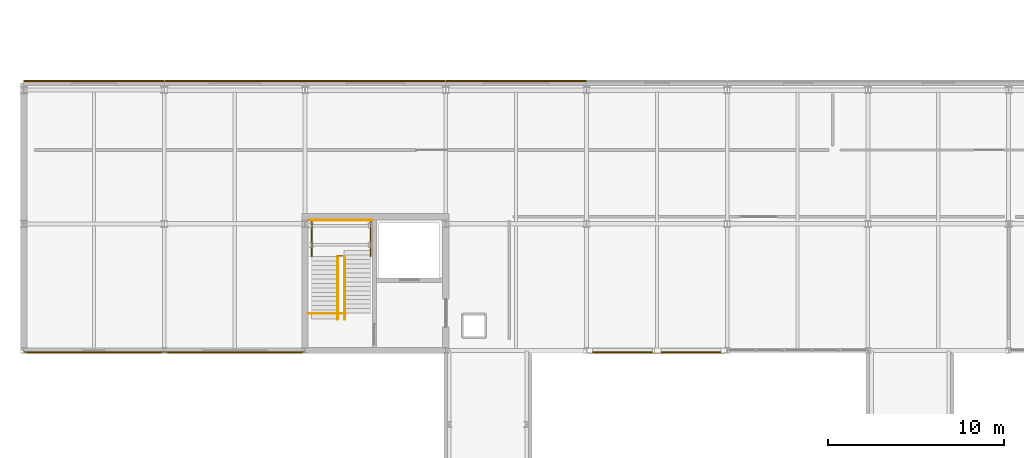
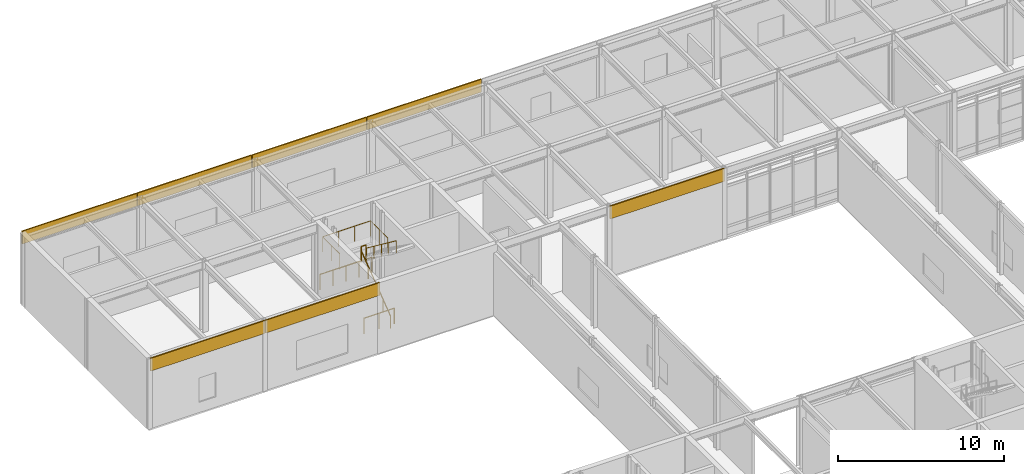
# One storey, part 87 of 94: 7 coverings, 6 railings.
"""IFC4 building model written with IfcOpenShell, lengths in metres."""

from ifc_helpers import new_model, si_unit, direction, frame, origin, origin_2d, place, context, subcontext, project, spatial, rectangle, circle, extrude, material, layer, layer_set, type_object, element, save


model = new_model("IFC4")

# Units and contexts
model_context = context("Model", 3, precision=1e-05, world=origin(), true_north=direction((0.0, 1.0)))
body_context = subcontext(model_context, "Body", "Model", "MODEL_VIEW")
ifc_project = project(units=[si_unit("LENGTHUNIT", "METRE"), si_unit("AREAUNIT", "SQUARE_METRE"), si_unit("VOLUMEUNIT", "CUBIC_METRE"), si_unit("PLANEANGLEUNIT", "RADIAN"), si_unit("MASSUNIT", "GRAM", prefix="KILO")], contexts=[model_context])

# Site, building, storey
site_placement = place(None, origin())
site = spatial("IfcSite", under=ifc_project, at=site_placement, CompositionType="ELEMENT")
building_placement = place(site_placement, origin())
building = spatial("IfcBuilding", under=site, at=building_placement, Name="Zulena Civic Courthouse", CompositionType="ELEMENT")
storey_placement = place(building_placement, frame((0.0, 0.0, 5.39990234375)))
storey = spatial("IfcBuildingStorey", under=building, at=storey_placement, Name="L01", CompositionType="ELEMENT", Elevation=5.39990234375)

# Railings
ifc_material_1 = material(Name="Brushed architectural steel ASTM A36", Category="steel")
railing_type_1 = type_object("IfcRailingType", Name="InteriorGuardrail_1150", PredefinedType="GUARDRAIL", material=ifc_material_1)
railing_1_placement = place(storey_placement, frame((20.199951171875, 53.409912109375, 0.0)))
element("IfcRailing", 1, at=railing_1_placement, inside=storey, type_object=railing_type_1, Name="gr:wellN:K5A:L00", PredefinedType="GUARDRAIL", context=body_context, shape_type="SweptSolid", body=[
    extrude(circle(Radius=0.02392578125, at=origin_2d()), frame((0.00390625, 0.0, 1.1259765625), z_axis=(1.0, 0.0, 0.0), x_axis=(0.0, 1.0, 0.0)), (0.0, 0.0, 1.0), 3.592041015625),
    extrude(circle(Radius=0.02099609375, at=origin_2d()), origin(), (0.0, 0.0, 1.0), 1.097900390625),
    extrude(circle(Radius=0.02099609375, at=origin_2d()), frame((0.89990234375, 0.0, 0.0)), (0.0, 0.0, 1.0), 1.097900390625),
    extrude(circle(Radius=0.02099609375, at=origin_2d()), frame((1.800048828125, 0.0, 0.0)), (0.0, 0.0, 1.0), 1.097900390625),
    extrude(circle(Radius=0.02099609375, at=origin_2d()), frame((2.7001953125, 0.0, 0.0)), (0.0, 0.0, 1.0), 1.097900390625),
    extrude(circle(Radius=0.02099609375, at=origin_2d()), frame((3.60009765625, 0.0, 0.0)), (0.0, 0.0, 1.0), 1.097900390625),
])
railing_2_placement = place(storey_placement, frame((20.179931640625, 48.10009765625, 0.0)))
element("IfcRailing", 2, at=railing_2_placement, inside=storey, type_object=railing_type_1, Name="gr:wells:K5A:L01", PredefinedType="GUARDRAIL", context=body_context, shape_type="SweptSolid", body=[
    extrude(circle(Radius=0.02392578125, at=origin_2d()), frame((0.00390625, 0.0, 1.1259765625), z_axis=(1.0, 0.0, 0.0), x_axis=(0.0, 1.0, 0.0)), (0.0, 0.0, 1.0), 2.112060546875),
    extrude(circle(Radius=0.02099609375, at=origin_2d()), origin(), (0.0, 0.0, 1.0), 1.097900390625),
    extrude(circle(Radius=0.02099609375, at=origin_2d()), frame((1.06005859375, 0.0, 0.0)), (0.0, 0.0, 1.0), 1.097900390625),
    extrude(circle(Radius=0.02099609375, at=origin_2d()), frame((2.1201171875, 0.0, 0.0)), (0.0, 0.0, 1.0), 1.097900390625),
])
railing_3_placement = place(storey_placement, frame((20.3798828125, 51.349609375, 2.7001953125)))
element("IfcRailing", 3, at=railing_3_placement, inside=storey, type_object=railing_type_1, Name="gr:lnd:K5A:L01", PredefinedType="GUARDRAIL", context=body_context, shape_type="SweptSolid", body=[
    extrude(circle(Radius=0.02392578125, at=origin_2d()), frame((0.0, 0.00390625, 1.1259765625), z_axis=(0.0, 1.0, 0.0), x_axis=(-1.0, 0.0, 0.0)), (0.0, 0.0, 1.0), 2.062255859375),
    extrude(circle(Radius=0.02392578125, at=origin_2d()), frame((0.00390625, 2.0703125, 1.1259765625), z_axis=(1.0, 0.0, 0.0), x_axis=(0.0, 1.0, 0.0)), (0.0, 0.0, 1.0), 3.33203125),
    extrude(circle(Radius=0.02392578125, at=origin_2d()), frame((3.340087890625, 2.06640625, 1.1259765625), z_axis=(0.0, -1.0, 0.0), x_axis=(1.0, 0.0, 0.0)), (0.0, 0.0, 1.0), 2.062255859375),
    extrude(circle(Radius=0.02099609375, at=origin_2d()), origin(), (0.0, 0.0, 1.0), 1.097900390625),
    extrude(circle(Radius=0.02099609375, at=origin_2d()), frame((0.0, 1.03515625, 0.0)), (0.0, 0.0, 1.0), 1.097900390625),
    extrude(circle(Radius=0.02099609375, at=origin_2d()), frame((0.0, 2.0703125, 0.0)), (0.0, 0.0, 1.0), 1.097900390625),
    extrude(circle(Radius=0.02099609375, at=origin_2d()), frame((1.11328125, 2.0703125, 0.0)), (0.0, 0.0, 1.0), 1.097900390625),
    extrude(circle(Radius=0.02099609375, at=origin_2d()), frame((2.226806640625, 2.0703125, 0.0)), (0.0, 0.0, 1.0), 1.097900390625),
    extrude(circle(Radius=0.02099609375, at=origin_2d()), frame((3.340087890625, 2.0703125, 0.0)), (0.0, 0.0, 1.0), 1.097900390625),
    extrude(circle(Radius=0.02099609375, at=origin_2d()), frame((3.340087890625, 1.03515625, 0.0)), (0.0, 0.0, 1.0), 1.097900390625),
    extrude(circle(Radius=0.02099609375, at=origin_2d()), frame((3.340087890625, 0.0, 0.0)), (0.0, 0.0, 1.0), 1.097900390625),
])
railing_4_placement = place(storey_placement, frame((21.8798828125, 51.3701171875, 2.7001953125)))
element("IfcRailing", 4, at=railing_4_placement, inside=storey, type_object=railing_type_1, Name="gr:lndslot:K5A:L01", PredefinedType="GUARDRAIL", context=body_context, shape_type="SweptSolid", body=[
    extrude(circle(Radius=0.02392578125, at=origin_2d()), frame((0.00390625, 0.0, 1.1259765625), z_axis=(1.0, 0.0, 0.0), x_axis=(0.0, 1.0, 0.0)), (0.0, 0.0, 1.0), 0.33203125),
    extrude(circle(Radius=0.02099609375, at=origin_2d()), origin(), (0.0, 0.0, 1.0), 1.097900390625),
    extrude(circle(Radius=0.02099609375, at=origin_2d()), frame((0.340087890625, 0.0, 0.0)), (0.0, 0.0, 1.0), 1.097900390625),
])

# Coverings
ifc_material_2 = material(Name="White architectural precast concrete C40/50", Category="concrete")
ifc_layer = layer(ifc_material_2, 0.0849609375)
ifc_layer_set = layer_set([ifc_layer], Name="White architectural precast concrete C40/50")
covering_type = type_object("IfcCoveringType", Name="PrecastSpandrelCladding_85", PredefinedType="CLADDING", material=ifc_layer_set)
for number, where, z_axis, x_axis, name in (
    (5, (8.0, 61.320068359375, 4.250244140625), (0.0, 0.0, 1.0), (1.0, 0.0, 0.0), "clad:sp:V5:L01:1:0"),
    (6, (16.0, 61.320068359375, 4.250244140625), (0.0, 0.0, 1.0), (1.0, 0.0, 0.0), "clad:sp:V5:L01:1:1"),
    (7, (24.0, 61.320068359375, 4.250244140625), (0.0, 0.0, 1.0), (1.0, 0.0, 0.0), "clad:sp:V5:L01:1:2"),
    (8, (32.0, 61.320068359375, 4.250244140625), (0.0, 0.0, 1.0), (1.0, 0.0, 0.0), "clad:sp:V5:L01:1:3"),
    (9, (40.0, 45.8798828125, 4.250244140625), (0.0, 0.0, 1.0), (-1.0, 0.0, 0.0), "clad:sp:V5:L01:5:8"),
    (10, (16.0, 45.8798828125, 4.250244140625), (0.0, 0.0, 1.0), (-1.0, 0.0, 0.0), "clad:sp:V5:L01:5:11"),
    (11, (8.0, 45.8798828125, 4.250244140625), (0.0, 0.0, 1.0), (-1.0, 0.0, 0.0), "clad:sp:V5:L01:5:12"),
):
    element("IfcCovering", number, at=place(storey_placement, frame(where, z_axis=z_axis, x_axis=x_axis)), inside=storey, type_object=covering_type, Name=name, PredefinedType="CLADDING", context=body_context, shape_type="SweptSolid", body=[
        extrude(rectangle(XDim=7.9599609375, YDim=0.0849609375, at=origin_2d()), origin(), (0.0, 0.0, 1.0), 0.93994140625),
    ])

# Railings
railing_type_2 = type_object("IfcRailingType", Name="StairHandrail_920", PredefinedType="HANDRAIL", material=ifc_material_1)
railing_5_placement = place(storey_placement, frame((21.85009765625, 47.780029296875, 0.0)))
element("IfcRailing", 12, at=railing_5_placement, inside=storey, type_object=railing_type_2, Name="hr:K5A:L01:1", PredefinedType="HANDRAIL", context=body_context, shape_type="SweptSolid", body=[
    extrude(circle(Radius=0.02392578125, at=origin_2d()), frame((0.0, 0.003173828125, 0.898193359375), z_axis=(0.0, 0.797525546601, 0.603285175119), x_axis=(-1.0, 0.0, 0.0)), (0.0, 0.0, 1.0), 4.4677734375),
    extrude(circle(Radius=0.02099609375, at=origin_2d()), origin(), (0.0, 0.0, 1.0), 0.867919921875),
    extrude(circle(Radius=0.02099609375, at=origin_2d()), frame((0.0, 0.892333984375, 0.675048828125)), (0.0, 0.0, 1.0), 0.867919921875),
    extrude(circle(Radius=0.02099609375, at=origin_2d()), frame((0.0, 1.78466796875, 1.35009765625)), (0.0, 0.0, 1.0), 0.867919921875),
    extrude(circle(Radius=0.02099609375, at=origin_2d()), frame((0.0, 2.67724609375, 2.025146484375)), (0.0, 0.0, 1.0), 0.867919921875),
    extrude(circle(Radius=0.02099609375, at=origin_2d()), frame((0.0, 3.569580078125, 2.7001953125)), (0.0, 0.0, 1.0), 0.867919921875),
])
railing_6_placement = place(storey_placement, frame((22.25, 51.349609375, 2.7001953125)))
element("IfcRailing", 13, at=railing_6_placement, inside=storey, type_object=railing_type_2, Name="hr:K5A:L01:2", PredefinedType="HANDRAIL", context=body_context, shape_type="SweptSolid", body=[
    extrude(circle(Radius=0.02392578125, at=origin_2d()), frame((0.0, -0.003173828125, 0.898193359375), z_axis=(0.0, -0.797551790998, 0.603250479218), x_axis=(1.0, 0.0, 0.0)), (0.0, 0.0, 1.0), 4.4677734375),
    extrude(circle(Radius=0.02099609375, at=origin_2d()), origin(), (0.0, 0.0, 1.0), 0.867919921875),
    extrude(circle(Radius=0.02099609375, at=origin_2d()), frame((0.0, -0.892333984375, 0.675048828125)), (0.0, 0.0, 1.0), 0.867919921875),
    extrude(circle(Radius=0.02099609375, at=origin_2d()), frame((0.0, -1.78466796875, 1.35009765625)), (0.0, 0.0, 1.0), 0.867919921875),
    extrude(circle(Radius=0.02099609375, at=origin_2d()), frame((0.0, -2.67724609375, 2.02490234375)), (0.0, 0.0, 1.0), 0.867919921875),
    extrude(circle(Radius=0.02099609375, at=origin_2d()), frame((0.0, -3.569580078125, 2.699951171875)), (0.0, 0.0, 1.0), 0.867919921875),
])

save(model, "model.ifc")
